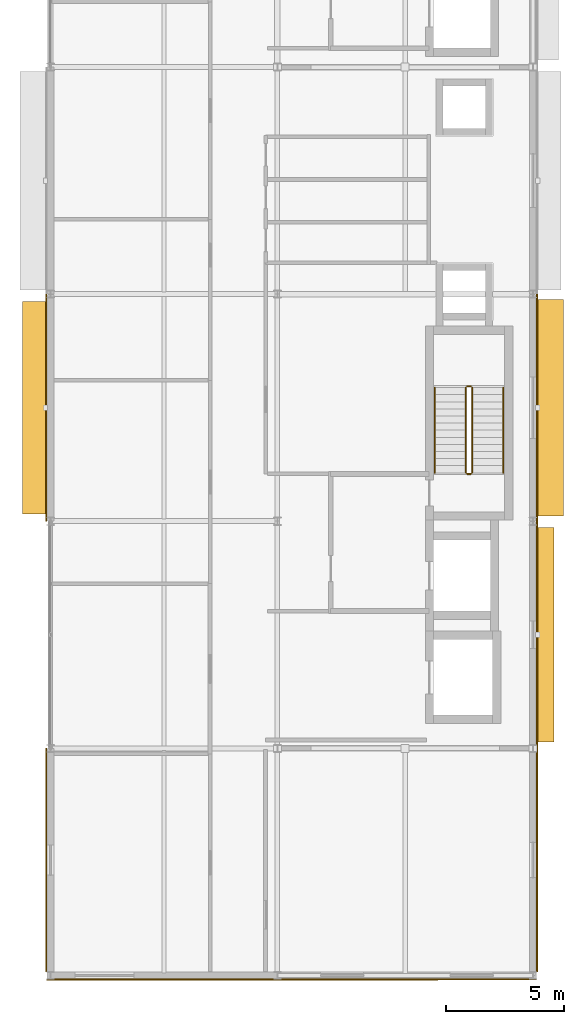
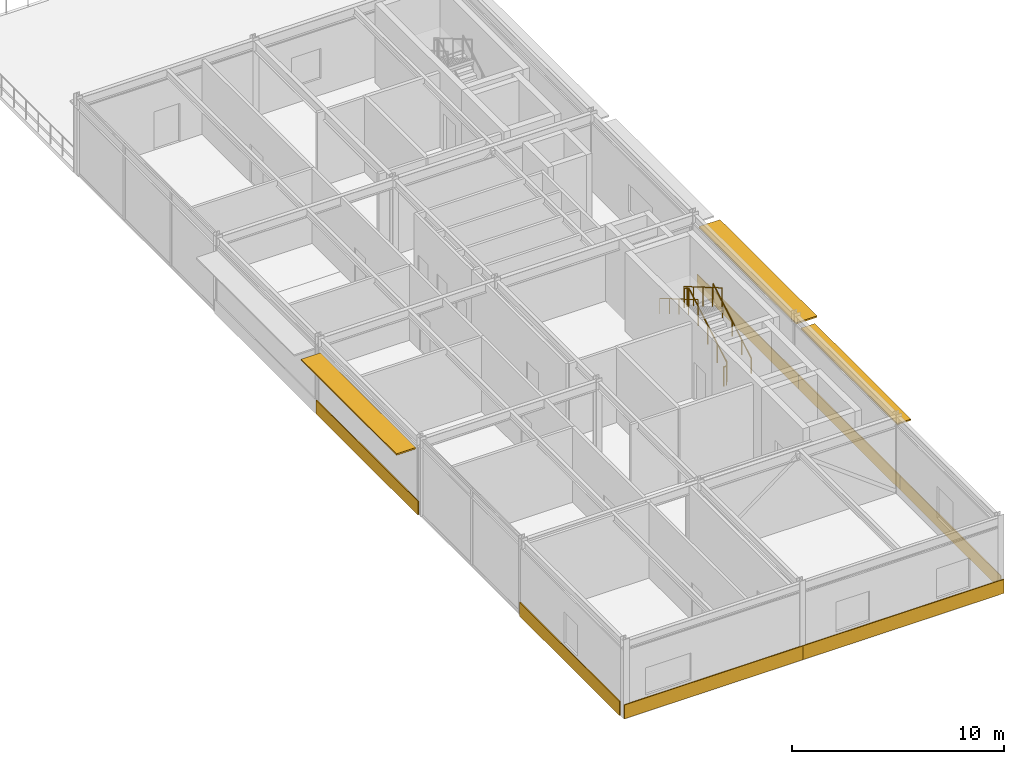
# One storey, part 16 of 18: 7 coverings, 6 railings, 3 shading devices.
"""IFC4 building model written with IfcOpenShell, lengths in metres."""

from ifc_helpers import new_model, si_unit, direction, frame, origin, origin_2d, place, context, subcontext, project, spatial, rectangle, circle, extrude, material, layer, layer_set, type_object, element, save


model = new_model("IFC4")

# Units and contexts
model_context = context("Model", 3, precision=1e-05, world=origin(), true_north=direction((0.0, 1.0)))
body_context = subcontext(model_context, "Body", "Model", "MODEL_VIEW")
ifc_project = project(units=[si_unit("LENGTHUNIT", "METRE"), si_unit("AREAUNIT", "SQUARE_METRE"), si_unit("VOLUMEUNIT", "CUBIC_METRE"), si_unit("PLANEANGLEUNIT", "RADIAN"), si_unit("MASSUNIT", "GRAM", prefix="KILO")], contexts=[model_context])

# Site, building, storey
site_placement = place(None, origin())
site = spatial("IfcSite", under=ifc_project, at=site_placement, CompositionType="ELEMENT")
building_placement = place(site_placement, origin())
building = spatial("IfcBuilding", under=site, at=building_placement, Name="Almandine Court Research Institute", CompositionType="ELEMENT")
storey_placement = place(building_placement, frame((0.0, 0.0, 37.10009765625)))
storey = spatial("IfcBuildingStorey", under=building, at=storey_placement, Name="L08", CompositionType="ELEMENT", Elevation=37.10009765625)

# Coverings
ifc_material_1 = material(Name="Extruded Cream-Ochre Seismic Terracotta Spandrel", Category="masonry")
ifc_layer_1 = layer(ifc_material_1, 0.054931640625)
ifc_layer_set_1 = layer_set([ifc_layer_1], Name="Extruded Cream-Ochre Seismic Terracotta Spandrel")
covering_type = type_object("IfcCoveringType", Name="Cov-CLAD-TERR", PredefinedType="CLADDING", material=ifc_layer_set_1)
covering_1_placement = place(storey_placement, frame((153.428955078125, 10.873046875, 0.02001953125), z_axis=(0.0, 0.0, 1.0), x_axis=(0.0, 1.0, 0.0)))
element("IfcCovering", 1, at=covering_1_placement, inside=storey, type_object=covering_type, Name="L08 Facade Spandrel Cladding Band 228", PredefinedType="CLADDING", context=body_context, shape_type="SweptSolid", body=[
    extrude(rectangle(XDim=9.447021484375, YDim=0.054931640625, at=origin_2d()), origin(), (0.0, 0.0, 1.0), 0.800048828125),
])
for number, where, z_axis, x_axis, name in (
    (2, (153.428955078125, 30.0, 0.02001953125), (0.0, 0.0, 1.0), (0.0, 1.0, 0.0), "L08 Facade Spandrel Cladding Band 229"),
    (3, (174.1708984375, 30.0, 0.02001953125), (0.0, 0.0, 1.0), (0.0, -1.0, 0.0), "L08 Facade Spandrel Cladding Band 235"),
    (4, (174.1708984375, 20.39990234375, 0.02001953125), (0.0, 0.0, 1.0), (0.0, -1.0, 0.0), "L08 Facade Spandrel Cladding Band 236"),
):
    element("IfcCovering", number, at=place(storey_placement, frame(where, z_axis=z_axis, x_axis=x_axis)), inside=storey, type_object=covering_type, Name=name, PredefinedType="CLADDING", context=body_context, shape_type="SweptSolid", body=[
        extrude(rectangle(XDim=9.592041015625, YDim=0.054931640625, at=origin_2d()), origin(), (0.0, 0.0, 1.0), 0.800048828125),
    ])
covering_2_placement = place(storey_placement, frame((174.1708984375, 10.873046875, 0.02001953125), z_axis=(0.0, 0.0, 1.0), x_axis=(0.0, -1.0, 0.0)))
element("IfcCovering", 5, at=covering_2_placement, inside=storey, type_object=covering_type, Name="L08 Facade Spandrel Cladding Band 237", PredefinedType="CLADDING", context=body_context, shape_type="SweptSolid", body=[
    extrude(rectangle(XDim=9.447021484375, YDim=0.054931640625, at=origin_2d()), origin(), (0.0, 0.0, 1.0), 0.800048828125),
])
covering_3_placement = place(storey_placement, frame((168.675048828125, 5.830078125, 0.02001953125), z_axis=(0.0, 0.0, 1.0), x_axis=(-1.0, 0.0, 0.0)))
element("IfcCovering", 6, at=covering_3_placement, inside=storey, type_object=covering_type, Name="L08 Facade Spandrel Cladding Band 238", PredefinedType="CLADDING", context=body_context, shape_type="SweptSolid", body=[
    extrude(rectangle(XDim=10.94091796875, YDim=0.054931640625, at=origin_2d()), origin(), (0.0, 0.0, 1.0), 0.800048828125),
])
covering_4_placement = place(storey_placement, frame((158.325927734375, 5.830078125, 0.02001953125), z_axis=(0.0, 0.0, 1.0), x_axis=(-1.0, 0.0, 0.0)))
element("IfcCovering", 7, at=covering_4_placement, inside=storey, type_object=covering_type, Name="L08 Facade Spandrel Cladding Band 239", PredefinedType="CLADDING", context=body_context, shape_type="SweptSolid", body=[
    extrude(rectangle(XDim=9.740966796875, YDim=0.054931640625, at=origin_2d()), origin(), (0.0, 0.0, 1.0), 0.800048828125),
])

# Railings
ifc_material_2 = material(Name="Powder-Coated Steel Stair and Atrium Balustrade", Category="steel")
railing_type_1 = type_object("IfcRailingType", Name="Rail-GUARD-INT", PredefinedType="BALUSTRADE", material=ifc_material_2)
railing_1_placement = place(storey_placement, frame((171.429931640625, 27.25, 0.1748046875)))
element("IfcRailing", 8, at=railing_1_placement, inside=storey, type_object=railing_type_1, Name="L08 ST-07 stair guard 1", PredefinedType="BALUSTRADE", context=body_context, shape_type="SweptSolid", body=[
    extrude(circle(Radius=0.02392578125, at=origin_2d()), frame((0.0, 0.0, 1.09619140625), z_axis=(0.0, 0.863774651768, 0.503878309678), x_axis=(-1.0, 0.0, 0.0)), (0.0, 0.0, 1.0), 4.16796875),
    extrude(circle(Radius=0.02099609375, at=origin_2d()), origin(), (0.0, 0.0, 1.0), 1.072021484375),
    extrude(circle(Radius=0.02099609375, at=origin_2d()), frame((0.0, 0.89990234375, 0.52490234375)), (0.0, 0.0, 1.0), 1.072021484375),
    extrude(circle(Radius=0.02099609375, at=origin_2d()), frame((0.0, 1.800048828125, 1.050048828125)), (0.0, 0.0, 1.0), 1.072021484375),
    extrude(circle(Radius=0.02099609375, at=origin_2d()), frame((0.0, 2.7001953125, 1.5751953125)), (0.0, 0.0, 1.0), 1.072021484375),
    extrude(circle(Radius=0.02099609375, at=origin_2d()), frame((0.0, 3.60009765625, 2.10009765625)), (0.0, 0.0, 1.0), 1.072021484375),
])
railing_2_placement = place(storey_placement, frame((171.3798828125, 30.89990234375, 2.27490234375)))
element("IfcRailing", 9, at=railing_2_placement, inside=storey, type_object=railing_type_1, Name="L08 ST-07 stair guard 2", PredefinedType="BALUSTRADE", context=body_context, shape_type="SweptSolid", body=[
    extrude(circle(Radius=0.02392578125, at=origin_2d()), frame((0.0, 0.0, 1.09619140625), z_axis=(-1.0, 0.0, 0.0), x_axis=(0.0, -1.0, 0.0)), (0.0, 0.0, 1.0), 0.159912109375),
    extrude(circle(Radius=0.02099609375, at=origin_2d()), origin(), (0.0, 0.0, 1.0), 1.072021484375),
    extrude(circle(Radius=0.02099609375, at=origin_2d()), frame((-0.159912109375, 0.0, 0.0)), (0.0, 0.0, 1.0), 1.072021484375),
])
railing_3_placement = place(storey_placement, frame((171.169921875, 30.85009765625, 2.449951171875)))
element("IfcRailing", 10, at=railing_3_placement, inside=storey, type_object=railing_type_1, Name="L08 ST-07 stair guard 3", PredefinedType="BALUSTRADE", context=body_context, shape_type="SweptSolid", body=[
    extrude(circle(Radius=0.02392578125, at=origin_2d()), frame((0.0, 0.0, 1.09619140625), z_axis=(0.0, -0.863800146258, 0.503834603144), x_axis=(1.0, 0.0, 0.0)), (0.0, 0.0, 1.0), 4.167724609375),
    extrude(circle(Radius=0.02099609375, at=origin_2d()), origin(), (0.0, 0.0, 1.0), 1.072021484375),
    extrude(circle(Radius=0.02099609375, at=origin_2d()), frame((0.0, -0.89990234375, 0.52490234375)), (0.0, 0.0, 1.0), 1.072021484375),
    extrude(circle(Radius=0.02099609375, at=origin_2d()), frame((0.0, -1.800048828125, 1.0498046875)), (0.0, 0.0, 1.0), 1.072021484375),
    extrude(circle(Radius=0.02099609375, at=origin_2d()), frame((0.0, -2.7001953125, 1.574951171875)), (0.0, 0.0, 1.0), 1.072021484375),
    extrude(circle(Radius=0.02099609375, at=origin_2d()), frame((0.0, -3.60009765625, 2.099853515625)), (0.0, 0.0, 1.0), 1.072021484375),
])
railing_4_placement = place(storey_placement, frame((171.3798828125, 27.199951171875, 0.0)))
element("IfcRailing", 11, at=railing_4_placement, inside=storey, type_object=railing_type_1, Name="L08 ST-07 stair guard 4", PredefinedType="BALUSTRADE", context=body_context, shape_type="SweptSolid", body=[
    extrude(circle(Radius=0.02392578125, at=origin_2d()), frame((0.0, 0.0, 1.09619140625), z_axis=(-1.0, 0.0, 0.0), x_axis=(0.0, -1.0, 0.0)), (0.0, 0.0, 1.0), 0.159912109375),
    extrude(circle(Radius=0.02099609375, at=origin_2d()), origin(), (0.0, 0.0, 1.0), 1.072021484375),
    extrude(circle(Radius=0.02099609375, at=origin_2d()), frame((-0.159912109375, 0.0, 0.0)), (0.0, 0.0, 1.0), 1.072021484375),
])
ifc_material_3 = material(Name="Brushed Stainless Steel Wall Handrail", Category="steel")
railing_type_2 = type_object("IfcRailingType", Name="Rail-HAND-INT", PredefinedType="HANDRAIL", material=ifc_material_3)
railing_5_placement = place(storey_placement, frame((172.75, 27.25, 0.1748046875)))
element("IfcRailing", 12, at=railing_5_placement, inside=storey, type_object=railing_type_2, Name="L08 ST-07 stair handrail 1", PredefinedType="HANDRAIL", context=body_context, shape_type="SweptSolid", body=[
    extrude(circle(Radius=0.02392578125, at=origin_2d()), frame((0.0, 0.0, 0.8759765625), z_axis=(0.0, 0.863774651768, 0.503878309678), x_axis=(-1.0, 0.0, 0.0)), (0.0, 0.0, 1.0), 4.16796875),
    extrude(circle(Radius=0.02099609375, at=origin_2d()), origin(), (0.0, 0.0, 1.0), 0.851806640625),
    extrude(circle(Radius=0.02099609375, at=origin_2d()), frame((0.0, 0.89990234375, 0.52490234375)), (0.0, 0.0, 1.0), 0.851806640625),
    extrude(circle(Radius=0.02099609375, at=origin_2d()), frame((0.0, 1.800048828125, 1.050048828125)), (0.0, 0.0, 1.0), 0.851806640625),
    extrude(circle(Radius=0.02099609375, at=origin_2d()), frame((0.0, 2.7001953125, 1.5751953125)), (0.0, 0.0, 1.0), 0.851806640625),
    extrude(circle(Radius=0.02099609375, at=origin_2d()), frame((0.0, 3.60009765625, 2.10009765625)), (0.0, 0.0, 1.0), 0.851806640625),
])
railing_6_placement = place(storey_placement, frame((169.85009765625, 30.85009765625, 2.449951171875)))
element("IfcRailing", 13, at=railing_6_placement, inside=storey, type_object=railing_type_2, Name="L08 ST-07 stair handrail 2", PredefinedType="HANDRAIL", context=body_context, shape_type="SweptSolid", body=[
    extrude(circle(Radius=0.02392578125, at=origin_2d()), frame((0.0, 0.0, 0.8759765625), z_axis=(0.0, -0.863800146258, 0.503834603144), x_axis=(1.0, 0.0, 0.0)), (0.0, 0.0, 1.0), 4.167724609375),
    extrude(circle(Radius=0.02099609375, at=origin_2d()), origin(), (0.0, 0.0, 1.0), 0.851806640625),
    extrude(circle(Radius=0.02099609375, at=origin_2d()), frame((0.0, -0.89990234375, 0.52490234375)), (0.0, 0.0, 1.0), 0.851806640625),
    extrude(circle(Radius=0.02099609375, at=origin_2d()), frame((0.0, -1.800048828125, 1.0498046875)), (0.0, 0.0, 1.0), 0.851806640625),
    extrude(circle(Radius=0.02099609375, at=origin_2d()), frame((0.0, -2.7001953125, 1.574951171875)), (0.0, 0.0, 1.0), 0.851806640625),
    extrude(circle(Radius=0.02099609375, at=origin_2d()), frame((0.0, -3.60009765625, 2.099853515625)), (0.0, 0.0, 1.0), 0.851806640625),
])

# Shading devices
ifc_material_4 = material(Name="Precast GFRC Chhajja Sunshade and Acoustic Louvre", Category="concrete")
ifc_layer_2 = layer(ifc_material_4, 0.080078125)
ifc_layer_set_2 = layer_set([ifc_layer_2], Name="Precast GFRC Chhajja Sunshade and Acoustic Louvre")
shading_device_type_1 = type_object("IfcShadingDeviceType", Name="Shd-SD-08", PredefinedType="AWNING", material=ifc_layer_set_2)
shading_device_1_placement = place(storey_placement, frame((174.7099609375, 30.0, 3.618896484375), z_axis=(0.0, 0.0, 1.0), x_axis=(0.0, -1.0, 0.0)))
element("IfcShadingDevice", 14, at=shading_device_1_placement, inside=storey, type_object=shading_device_type_1, Name="L08 Projecting Chhajja Sunshade 165", PredefinedType="AWNING", context=body_context, shape_type="SweptSolid", body=[
    extrude(rectangle(XDim=9.162109375, YDim=1.14990234375, at=origin_2d()), origin(), (0.0, 0.0, 1.0), 0.080078125),
])
ifc_layer_3 = layer(ifc_material_4, 0.080078125)
ifc_layer_set_3 = layer_set([ifc_layer_3], Name="Precast GFRC Chhajja Sunshade and Acoustic Louvre")
shading_device_type_2 = type_object("IfcShadingDeviceType", Name="Shd-SD-26", PredefinedType="AWNING", material=ifc_layer_set_3)
shading_device_2_placement = place(storey_placement, frame((152.93994140625, 30.0, 3.6279296875), z_axis=(0.0, 0.0, 1.0), x_axis=(0.0, 1.0, 0.0)))
element("IfcShadingDevice", 15, at=shading_device_2_placement, inside=storey, type_object=shading_device_type_2, Name="L08 Projecting Chhajja Sunshade 159", PredefinedType="AWNING", context=body_context, shape_type="SweptSolid", body=[
    extrude(rectangle(XDim=9.001953125, YDim=1.050048828125, at=origin_2d()), origin(), (0.0, 0.0, 1.0), 0.080078125),
])
ifc_layer_4 = layer(ifc_material_4, 0.080078125)
ifc_layer_set_4 = layer_set([ifc_layer_4], Name="Precast GFRC Chhajja Sunshade and Acoustic Louvre")
shading_device_type_3 = type_object("IfcShadingDeviceType", Name="Shd-SD-45", PredefinedType="AWNING", material=ifc_layer_set_4)
shading_device_3_placement = place(storey_placement, frame((174.510009765625, 20.39990234375, 3.618896484375), z_axis=(0.0, 0.0, 1.0), x_axis=(0.0, -1.0, 0.0)))
element("IfcShadingDevice", 16, at=shading_device_3_placement, inside=storey, type_object=shading_device_type_3, Name="L08 Projecting Chhajja Sunshade 166", PredefinedType="AWNING", context=body_context, shape_type="SweptSolid", body=[
    extrude(rectangle(XDim=9.08203125, YDim=0.75, at=origin_2d()), origin(), (0.0, 0.0, 1.0), 0.080078125),
])

save(model, "model.ifc")
